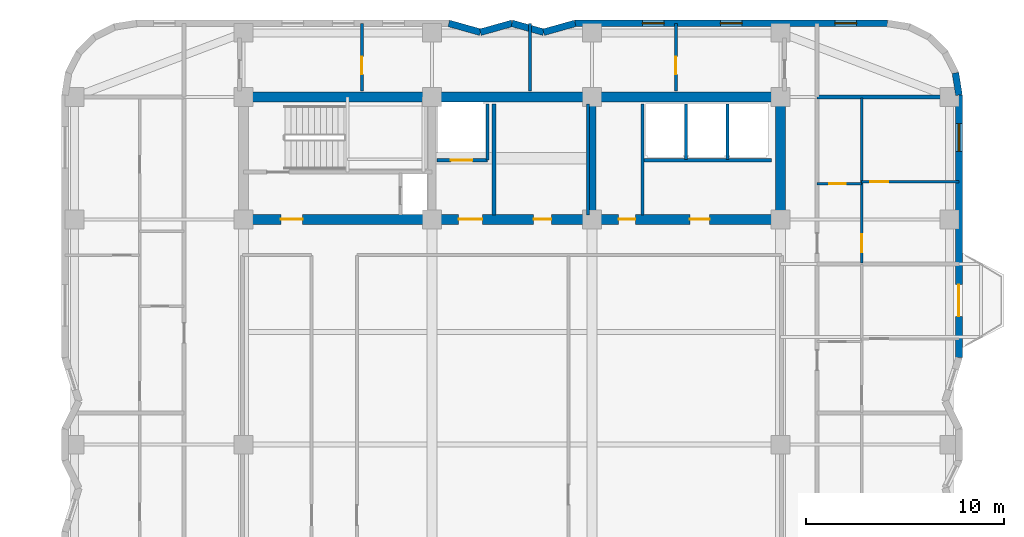
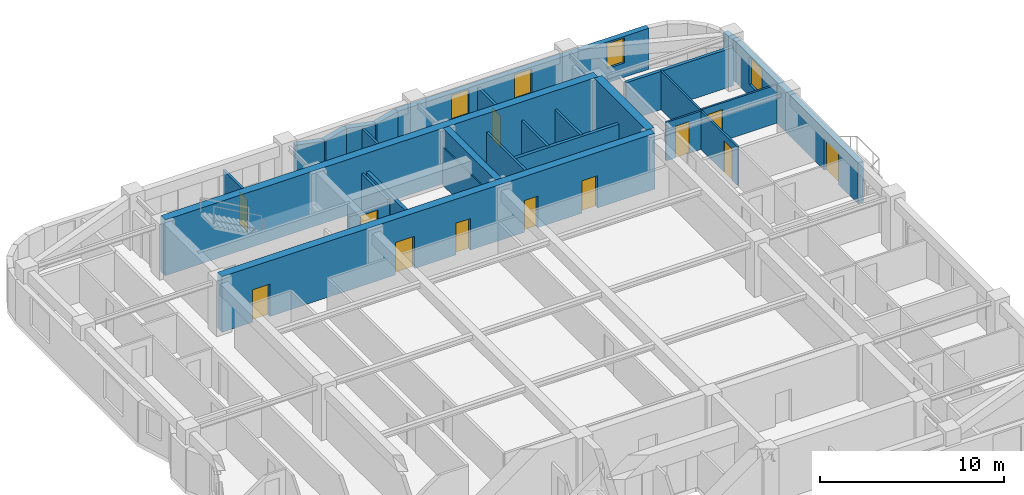
# One storey, part 6 of 9: 26 walls, 12 doors, 4 windows, 16 openings.
"""IFC4 building model written with IfcOpenShell, lengths in metres."""

from ifc_helpers import new_model, si_unit, direction, frame, frame_2d, origin, place, context, subcontext, project, spatial, rectangle, extrude, material, layer, layer_set, type_object, element, fill, save


model = new_model("IFC4")

# Units and contexts
model_context = context("Model", 3, precision=1e-05, world=origin(), true_north=direction((0.0, 1.0)))
body_context = subcontext(model_context, "Body", "Model", "MODEL_VIEW")
ifc_project = project(units=[si_unit("LENGTHUNIT", "METRE"), si_unit("AREAUNIT", "SQUARE_METRE"), si_unit("VOLUMEUNIT", "CUBIC_METRE"), si_unit("PLANEANGLEUNIT", "RADIAN"), si_unit("MASSUNIT", "GRAM", prefix="KILO")], contexts=[model_context])

# Site, building, storey
site_placement = place(None, origin())
site = spatial("IfcSite", under=ifc_project, at=site_placement, CompositionType="ELEMENT")
building_placement = place(site_placement, origin())
building = spatial("IfcBuilding", under=site, at=building_placement, Name="Svetorya Sky Lyceum", CompositionType="ELEMENT")
storey_placement = place(building_placement, frame((0.0, 0.0, 181.10009765625)))
storey = spatial("IfcBuildingStorey", under=building, at=storey_placement, Name="L45", CompositionType="ELEMENT", Elevation=181.10009765625)

# Walls
ifc_material_1 = material(Name="Concrete C40/50", Category="concrete")
ifc_layer_1 = layer(ifc_material_1, 0.39990234375)
ifc_layer_set_1 = layer_set([ifc_layer_1], Name="Concrete C40/50")
wall_type_1 = type_object("IfcWallType", Name="WL-CORE-400", PredefinedType="SHEAR", material=ifc_layer_set_1)
wall_1_placement = place(storey_placement, frame((43.25, 39.85009765625, 0.0), z_axis=(0.0, 0.0, 1.0), x_axis=(0.0, 1.0, 0.0)))
element("IfcWall", 1, at=wall_1_placement, inside=storey, type_object=wall_type_1, Name="L45 NC Internal Shear Web WEB2", PredefinedType="SHEAR", context=body_context, shape_type="SweptSolid", body=[
    extrude(rectangle(XDim=5.699951171875, YDim=0.39990234375, at=frame_2d((2.85009765625, 0.0))), origin(), (0.0, 0.0, 1.0), 3.699951171875),
])
ifc_material_2 = material(Name="Concrete C50/60", Category="concrete")
ifc_layer_2 = layer(ifc_material_2, 0.5)
ifc_layer_set_2 = layer_set([ifc_layer_2], Name="Concrete C50/60")
wall_type_2 = type_object("IfcWallType", Name="WL-CORE-500", PredefinedType="SHEAR", material=ifc_layer_set_2)
wall_2_placement = place(storey_placement, frame((25.60009765625, 45.800048828125, 0.0), z_axis=(0.0, 0.0, 1.0), x_axis=(1.0, 0.0, 0.0)))
element("IfcWall", 2, at=wall_2_placement, inside=storey, type_object=wall_type_2, Name="L45 NC Outer Core Shear Wall", PredefinedType="SHEAR", context=body_context, shape_type="SweptSolid", body=[
    extrude(rectangle(XDim=27.199951171875, YDim=0.5, at=frame_2d((13.60009765625, 0.0))), origin(), (0.0, 0.0, 1.0), 3.699951171875),
])
wall_3_placement = place(storey_placement, frame((52.800048828125, 39.85009765625, 0.0), z_axis=(0.0, 0.0, 1.0), x_axis=(0.0, 1.0, 0.0)))
element("IfcWall", 3, at=wall_3_placement, inside=storey, type_object=wall_type_2, Name="L45 NC East Core Shear Wall", PredefinedType="SHEAR", context=body_context, shape_type="SweptSolid", body=[
    extrude(rectangle(XDim=5.699951171875, YDim=0.5, at=frame_2d((2.85009765625, 0.0))), origin(), (0.0, 0.0, 1.0), 3.699951171875),
])

# Wall, openings, doors
wall_4_placement = place(storey_placement, frame((52.800048828125, 39.60009765625, 0.0), z_axis=(0.0, 0.0, 1.0), x_axis=(-1.0, 0.0, 0.0)))
wall_4 = element("IfcWall", 4, at=wall_4_placement, inside=storey, type_object=wall_type_2, Name="L45 NC Inner Core Shear Wall", PredefinedType="SHEAR", context=body_context, shape_type="SweptSolid", body=[
    extrude(rectangle(XDim=27.199951171875, YDim=0.5, at=frame_2d((13.60009765625, 0.0))), origin(), (0.0, 0.0, 1.0), 3.699951171875),
])
opening_1_placement = place(wall_4_placement, frame((24.199951171875, 0.0, 0.0)))
opening_1 = element("IfcOpeningElement", 5, at=opening_1_placement, cuts=wall_4, Name="Opening D-ST1", PredefinedType="OPENING", context=body_context, shape_type="SweptSolid", body=[
    extrude(rectangle(XDim=1.10009765625, YDim=2.14990234375, at=frame_2d((0.550048828125, 1.074951171875))), frame((0.0, 0.260009765625, 0.0), z_axis=(0.0, -1.0, 0.0), x_axis=(1.0, 0.0, 0.0)), (0.0, 0.0, 1.0), 0.52001953125),
])
opening_2_placement = place(wall_4_placement, frame((15.10009765625, 0.0, 0.0)))
opening_2 = element("IfcOpeningElement", 6, at=opening_2_placement, cuts=wall_4, Name="Opening D-FL1", PredefinedType="OPENING", context=body_context, shape_type="SweptSolid", body=[
    extrude(rectangle(XDim=1.199951171875, YDim=2.14990234375, at=frame_2d((0.60009765625, 1.074951171875))), frame((0.0, 0.260009765625, 0.0), z_axis=(0.0, -1.0, 0.0), x_axis=(1.0, 0.0, 0.0)), (0.0, 0.0, 1.0), 0.52001953125),
])
opening_3_placement = place(wall_4_placement, frame((11.60009765625, 0.0, 0.0)))
opening_3 = element("IfcOpeningElement", 7, at=opening_3_placement, cuts=wall_4, Name="Opening D-RM1", PredefinedType="OPENING", context=body_context, shape_type="SweptSolid", body=[
    extrude(rectangle(XDim=0.89990234375, YDim=2.10009765625, at=frame_2d((0.449951171875, 1.050048828125))), frame((0.0, 0.260009765625, 0.0), z_axis=(0.0, -1.0, 0.0), x_axis=(1.0, 0.0, 0.0)), (0.0, 0.0, 1.0), 0.52001953125),
])
opening_4_placement = place(wall_4_placement, frame((7.35009765625, 0.0, 0.0)))
opening_4 = element("IfcOpeningElement", 8, at=opening_4_placement, cuts=wall_4, Name="Opening D-CWC1", PredefinedType="OPENING", context=body_context, shape_type="SweptSolid", body=[
    extrude(rectangle(XDim=0.85009765625, YDim=2.10009765625, at=frame_2d((0.425048828125, 1.050048828125))), frame((0.0, 0.260009765625, 0.0), z_axis=(0.0, -1.0, 0.0), x_axis=(1.0, 0.0, 0.0)), (0.0, 0.0, 1.0), 0.52001953125),
])
opening_5_placement = place(wall_4_placement, frame((3.60009765625, 0.0, 0.0)))
opening_5 = element("IfcOpeningElement", 9, at=opening_5_placement, cuts=wall_4, Name="Opening D-RM2", PredefinedType="OPENING", context=body_context, shape_type="SweptSolid", body=[
    extrude(rectangle(XDim=1.0, YDim=2.14990234375, at=frame_2d((0.5, 1.074951171875))), frame((0.0, 0.260009765625, 0.0), z_axis=(0.0, -1.0, 0.0), x_axis=(1.0, 0.0, 0.0)), (0.0, 0.0, 1.0), 0.52001953125),
])
ifc_material_3 = material(Name="Fire-rated galvanized steel core service closet door", Category="steel")
door_type_1 = type_object("IfcDoorType", Name="DR-CWET-850", OperationType="SINGLE_SWING_LEFT", PredefinedType="DOOR", material=ifc_material_3)
door_1_placement = place(opening_4_placement, origin())
door_1 = element("IfcDoor", 10, at=door_1_placement, inside=storey, type_object=door_type_1, Name="L45 High-Zone Utility Room Door", OperationType="SINGLE_SWING_LEFT", OverallHeight=2.10009765625, OverallWidth=0.85009765625, PredefinedType="DOOR", context=body_context, shape_type="SweptSolid", body=[
    extrude(rectangle(XDim=0.85009765625, YDim=2.10009765625, at=frame_2d((0.425048828125, 1.050048828125))), frame((0.0, 0.02490234375, 0.0), z_axis=(0.0, -1.0, 0.0), x_axis=(1.0, 0.0, 0.0)), (0.0, 0.0, 1.0), 0.050048828125),
])
fill(opening_4, door_1)
ifc_material_4 = material(Name="Powder-coated insulated galvanized stair fire door")
door_type_2 = type_object("IfcDoorType", Name="DR-FIRE-1100", OperationType="SINGLE_SWING_LEFT", PredefinedType="DOOR", material=ifc_material_4)
door_2_placement = place(opening_1_placement, origin())
door_2 = element("IfcDoor", 11, at=door_2_placement, inside=storey, type_object=door_type_2, Name="L45 North Stair Airlock Door", OperationType="SINGLE_SWING_LEFT", OverallHeight=2.14990234375, OverallWidth=1.10009765625, PredefinedType="DOOR", context=body_context, shape_type="SweptSolid", body=[
    extrude(rectangle(XDim=1.10009765625, YDim=2.14990234375, at=frame_2d((0.550048828125, 1.074951171875))), frame((0.0, 0.02490234375, 0.0), z_axis=(0.0, -1.0, 0.0), x_axis=(1.0, 0.0, 0.0)), (0.0, 0.0, 1.0), 0.050048828125),
])
fill(opening_1, door_2)
ifc_material_5 = material(Name="Powder-coated insulated galvanized fire door")
door_type_3 = type_object("IfcDoorType", Name="DR-FIRE-1200", OperationType="SINGLE_SWING_LEFT", PredefinedType="DOOR", material=ifc_material_5)
door_3_placement = place(opening_2_placement, origin())
door_3 = element("IfcDoor", 12, at=door_3_placement, inside=storey, type_object=door_type_3, Name="L45 North Firefighting Lift Lobby Door", OperationType="SINGLE_SWING_RIGHT", OverallHeight=2.14990234375, OverallWidth=1.199951171875, PredefinedType="DOOR", context=body_context, shape_type="SweptSolid", body=[
    extrude(rectangle(XDim=1.199951171875, YDim=2.14990234375, at=frame_2d((0.60009765625, 1.074951171875))), frame((0.0, 0.02490234375, 0.0), z_axis=(0.0, -1.0, 0.0), x_axis=(1.0, 0.0, 0.0)), (0.0, 0.0, 1.0), 0.050048828125),
])
fill(opening_2, door_3)
ifc_material_6 = material(Name="Solid-core oak acoustic room door")
door_type_4 = type_object("IfcDoorType", Name="DR-INT-1000", OperationType="SINGLE_SWING_LEFT", PredefinedType="DOOR", material=ifc_material_6)
door_4_placement = place(opening_5_placement, origin())
door_4 = element("IfcDoor", 13, at=door_4_placement, inside=storey, type_object=door_type_4, Name="L45 North Trunk Store Door", OperationType="SINGLE_SWING_LEFT", OverallHeight=2.14990234375, OverallWidth=1.0, PredefinedType="DOOR", context=body_context, shape_type="SweptSolid", body=[
    extrude(rectangle(XDim=1.0, YDim=2.14990234375, at=frame_2d((0.5, 1.074951171875))), frame((0.0, 0.02490234375, 0.0), z_axis=(0.0, -1.0, 0.0), x_axis=(1.0, 0.0, 0.0)), (0.0, 0.0, 1.0), 0.050048828125),
])
fill(opening_5, door_4)
ifc_material_7 = material(Name="Lacquered birch veneer internal door")
door_type_5 = type_object("IfcDoorType", Name="DR-INT-900", OperationType="SINGLE_SWING_LEFT", PredefinedType="DOOR", material=ifc_material_7)
door_5_placement = place(opening_3_placement, origin())
door_5 = element("IfcDoor", 14, at=door_5_placement, inside=storey, type_object=door_type_5, Name="L45 Upper Archive Door", OperationType="SINGLE_SWING_LEFT", OverallHeight=2.10009765625, OverallWidth=0.89990234375, PredefinedType="DOOR", context=body_context, shape_type="SweptSolid", body=[
    extrude(rectangle(XDim=0.89990234375, YDim=2.10009765625, at=frame_2d((0.449951171875, 1.050048828125))), frame((0.0, 0.02490234375, 0.0), z_axis=(0.0, -1.0, 0.0), x_axis=(1.0, 0.0, 0.0)), (0.0, 0.0, 1.0), 0.050048828125),
])
fill(opening_3, door_5)

# Wall, openings, door, window
ifc_material_8 = material(Name="Putilovo limestone rainscreen on autoclaved cellular masonry", Category="masonry")
ifc_layer_3 = layer(ifc_material_8, 0.340087890625)
ifc_layer_set_3 = layer_set([ifc_layer_3], Name="Putilovo limestone rainscreen on autoclaved cellular masonry")
wall_type_3 = type_object("IfcWallType", Name="WL-EXT-340", PredefinedType="SOLIDWALL", material=ifc_layer_set_3)
wall_5_placement = place(storey_placement, frame((61.830078125, 32.60009765625, 0.0), z_axis=(0.0, 0.0, 1.0), x_axis=(0.0, 1.0, 0.0)))
wall_5 = element("IfcWall", 15, at=wall_5_placement, inside=storey, type_object=wall_type_3, Name="L45 Limestone Exterior Wall 23M", PredefinedType="SOLIDWALL", context=body_context, shape_type="SweptSolid", body=[
    extrude(rectangle(XDim=13.2998046875, YDim=0.340087890625, at=frame_2d((6.64990234375, 0.0))), origin(), (0.0, 0.0, 1.0), 2.719970703125),
])
opening_6_placement = place(wall_5_placement, frame((2.10009765625, 0.0, 0.0)))
opening_6 = element("IfcOpeningElement", 16, at=opening_6_placement, cuts=wall_5, Name="Opening D-BL1", PredefinedType="OPENING", context=body_context, shape_type="SweptSolid", body=[
    extrude(rectangle(XDim=1.60009765625, YDim=2.10009765625, at=frame_2d((0.800048828125, 1.050048828125))), frame((0.0, 0.179931640625, 0.0), z_axis=(0.0, -1.0, 0.0), x_axis=(1.0, 0.0, 0.0)), (0.0, 0.0, 1.0), 0.360107421875),
])
opening_7_placement = place(wall_5_placement, frame((10.449951171875, 0.0, 0.75)))
opening_7 = element("IfcOpeningElement", 17, at=opening_7_placement, cuts=wall_5, Name="Opening W-R2", PredefinedType="OPENING", context=body_context, shape_type="SweptSolid", body=[
    extrude(rectangle(XDim=1.39990234375, YDim=1.85009765625, at=frame_2d((0.699951171875, 0.925048828125))), frame((0.0, 0.179931640625, 0.0), z_axis=(0.0, -1.0, 0.0), x_axis=(1.0, 0.0, 0.0)), (0.0, 0.0, 1.0), 0.360107421875),
])
ifc_material_9 = material(Name="Insulated glazed aluminium balcony door", Category="aluminium")
door_type_6 = type_object("IfcDoorType", Name="DR-BAL-1600", OperationType="DOUBLE_DOOR_SINGLE_SWING", PredefinedType="DOOR", material=ifc_material_9)
door_6_placement = place(opening_6_placement, origin())
door_6 = element("IfcDoor", 18, at=door_6_placement, inside=storey, type_object=door_type_6, Name="L45 Balcony BAL-E1 Door", OperationType="DOUBLE_DOOR_SINGLE_SWING", OverallHeight=2.10009765625, OverallWidth=1.60009765625, PredefinedType="DOOR", context=body_context, shape_type="SweptSolid", body=[
    extrude(rectangle(XDim=1.60009765625, YDim=2.10009765625, at=frame_2d((0.800048828125, 1.050048828125))), frame((0.0, 0.02490234375, 0.0), z_axis=(0.0, -1.0, 0.0), x_axis=(1.0, 0.0, 0.0)), (0.0, 0.0, 1.0), 0.050048828125),
])
fill(opening_6, door_6)
ifc_material_10 = material(Name="Thermally broken aluminium frame with triple low-E glazing", Category="aluminium")
window_type_1 = type_object("IfcWindowType", Name="WN-RES-140", PartitioningType="SINGLE_PANEL", PredefinedType="WINDOW", material=ifc_material_10)
window_1_placement = place(opening_7_placement, origin())
window_1 = element("IfcWindow", 19, at=window_1_placement, inside=storey, type_object=window_type_1, Name="L45 Facade Window W-R2.23M.1", OverallHeight=1.85009765625, OverallWidth=1.39990234375, PartitioningType="SINGLE_PANEL", PredefinedType="WINDOW", context=body_context, shape_type="SweptSolid", body=[
    extrude(rectangle(XDim=1.39990234375, YDim=1.85009765625, at=frame_2d((0.699951171875, 0.925048828125))), frame((0.0, 0.030029296875, 0.0), z_axis=(0.0, -1.0, 0.0), x_axis=(1.0, 0.0, 0.0)), (0.0, 0.0, 1.0), 0.06005859375),
])
fill(opening_7, window_1)

# Wall
wall_6_placement = place(storey_placement, frame((61.830078125, 45.89990234375, 0.0), z_axis=(0.0, 0.0, 1.0), x_axis=(-0.156481329164, 0.987680916907, 0.0)))
element("IfcWall", 20, at=wall_6_placement, inside=storey, type_object=wall_type_3, Name="L45 Limestone Exterior Wall 24M", PredefinedType="SOLIDWALL", context=body_context, shape_type="SweptSolid", body=[
    extrude(rectangle(XDim=1.1357421875, YDim=0.340087890625, at=frame_2d((0.56787109375, 0.0))), origin(), (0.0, 0.0, 1.0), 2.719970703125),
])

# Wall, openings, windows
wall_7_placement = place(storey_placement, frame((58.199951171875, 49.530029296875, 0.0), z_axis=(0.0, 0.0, 1.0), x_axis=(-1.0, 0.0, 0.0)))
wall_7 = element("IfcWall", 21, at=wall_7_placement, inside=storey, type_object=wall_type_3, Name="L45 Limestone Exterior Wall 29M", PredefinedType="SOLIDWALL", context=body_context, shape_type="SweptSolid", body=[
    extrude(rectangle(XDim=15.800048828125, YDim=0.340087890625, at=frame_2d((7.89990234375, 0.0))), origin(), (0.0, 0.0, 1.0), 2.719970703125),
])
opening_8_placement = place(wall_7_placement, frame((1.550048828125, 0.0, 0.949951171875)))
opening_8 = element("IfcOpeningElement", 22, at=opening_8_placement, cuts=wall_7, Name="Opening W-R3", PredefinedType="OPENING", context=body_context, shape_type="SweptSolid", body=[
    extrude(rectangle(XDim=1.10009765625, YDim=1.64990234375, at=frame_2d((0.550048828125, 0.824951171875))), frame((0.0, 0.179931640625, 0.0), z_axis=(0.0, -1.0, 0.0), x_axis=(1.0, 0.0, 0.0)), (0.0, 0.0, 1.0), 0.360107421875),
])
opening_9_placement = place(wall_7_placement, frame((7.35009765625, 0.0, 0.949951171875)))
opening_9 = element("IfcOpeningElement", 23, at=opening_9_placement, cuts=wall_7, Name="Opening W-R3", PredefinedType="OPENING", context=body_context, shape_type="SweptSolid", body=[
    extrude(rectangle(XDim=1.10009765625, YDim=1.64990234375, at=frame_2d((0.550048828125, 0.824951171875))), frame((0.0, 0.179931640625, 0.0), z_axis=(0.0, -1.0, 0.0), x_axis=(1.0, 0.0, 0.0)), (0.0, 0.0, 1.0), 0.360107421875),
])
opening_10_placement = place(wall_7_placement, frame((11.300048828125, 0.0, 0.949951171875)))
opening_10 = element("IfcOpeningElement", 24, at=opening_10_placement, cuts=wall_7, Name="Opening W-R3", PredefinedType="OPENING", context=body_context, shape_type="SweptSolid", body=[
    extrude(rectangle(XDim=1.10009765625, YDim=1.64990234375, at=frame_2d((0.550048828125, 0.824951171875))), frame((0.0, 0.179931640625, 0.0), z_axis=(0.0, -1.0, 0.0), x_axis=(1.0, 0.0, 0.0)), (0.0, 0.0, 1.0), 0.360107421875),
])
window_type_2 = type_object("IfcWindowType", Name="WN-RES-110", PartitioningType="SINGLE_PANEL", PredefinedType="WINDOW", material=ifc_material_10)
window_2_placement = place(opening_8_placement, origin())
window_2 = element("IfcWindow", 25, at=window_2_placement, inside=storey, type_object=window_type_2, Name="L45 Facade Window W-R3.29M.1", OverallHeight=1.64990234375, OverallWidth=1.10009765625, PartitioningType="SINGLE_PANEL", PredefinedType="WINDOW", context=body_context, shape_type="SweptSolid", body=[
    extrude(rectangle(XDim=1.10009765625, YDim=1.64990234375, at=frame_2d((0.550048828125, 0.824951171875))), frame((0.0, 0.030029296875, 0.0), z_axis=(0.0, -1.0, 0.0), x_axis=(1.0, 0.0, 0.0)), (0.0, 0.0, 1.0), 0.06005859375),
])
fill(opening_8, window_2)
window_3_placement = place(opening_9_placement, origin())
window_3 = element("IfcWindow", 26, at=window_3_placement, inside=storey, type_object=window_type_2, Name="L45 Facade Window W-R3.29M.2", OverallHeight=1.64990234375, OverallWidth=1.10009765625, PartitioningType="SINGLE_PANEL", PredefinedType="WINDOW", context=body_context, shape_type="SweptSolid", body=[
    extrude(rectangle(XDim=1.10009765625, YDim=1.64990234375, at=frame_2d((0.550048828125, 0.824951171875))), frame((0.0, 0.030029296875, 0.0), z_axis=(0.0, -1.0, 0.0), x_axis=(1.0, 0.0, 0.0)), (0.0, 0.0, 1.0), 0.06005859375),
])
fill(opening_9, window_3)
window_4_placement = place(opening_10_placement, origin())
window_4 = element("IfcWindow", 27, at=window_4_placement, inside=storey, type_object=window_type_2, Name="L45 Facade Window W-R3.29M.3", OverallHeight=1.64990234375, OverallWidth=1.10009765625, PartitioningType="SINGLE_PANEL", PredefinedType="WINDOW", context=body_context, shape_type="SweptSolid", body=[
    extrude(rectangle(XDim=1.10009765625, YDim=1.64990234375, at=frame_2d((0.550048828125, 0.824951171875))), frame((0.0, 0.030029296875, 0.0), z_axis=(0.0, -1.0, 0.0), x_axis=(1.0, 0.0, 0.0)), (0.0, 0.0, 1.0), 0.06005859375),
])
fill(opening_10, window_4)

# Walls
wall_8_placement = place(storey_placement, frame((42.39990234375, 49.530029296875, 0.0), z_axis=(0.0, 0.0, 1.0), x_axis=(-0.962652136636, -0.270741322725, 0.0)))
element("IfcWall", 28, at=wall_8_placement, inside=storey, type_object=wall_type_3, Name="L45 Limestone Exterior Wall 30M", PredefinedType="SOLIDWALL", context=body_context, shape_type="SweptSolid", body=[
    extrude(rectangle(XDim=1.661865234375, YDim=0.340087890625, at=frame_2d((0.8310546875, 0.0))), origin(), (0.0, 0.0, 1.0), 2.719970703125),
])
wall_9_placement = place(storey_placement, frame((40.800048828125, 49.080078125, 0.0), z_axis=(0.0, 0.0, 1.0), x_axis=(-0.962662902433, 0.270703040766, 0.0)))
element("IfcWall", 29, at=wall_9_placement, inside=storey, type_object=wall_type_3, Name="L45 Limestone Exterior Wall 31M", PredefinedType="SOLIDWALL", context=body_context, shape_type="SweptSolid", body=[
    extrude(rectangle(XDim=1.662109375, YDim=0.340087890625, at=frame_2d((0.8310546875, 0.0))), origin(), (0.0, 0.0, 1.0), 2.719970703125),
])
wall_10_placement = place(storey_placement, frame((39.199951171875, 49.530029296875, 0.0), z_axis=(0.0, 0.0, 1.0), x_axis=(-0.962652136636, -0.270741322725, 0.0)))
element("IfcWall", 30, at=wall_10_placement, inside=storey, type_object=wall_type_3, Name="L45 Limestone Exterior Wall 32M", PredefinedType="SOLIDWALL", context=body_context, shape_type="SweptSolid", body=[
    extrude(rectangle(XDim=1.661865234375, YDim=0.340087890625, at=frame_2d((0.8310546875, 0.0))), origin(), (0.0, 0.0, 1.0), 2.719970703125),
])
wall_11_placement = place(storey_placement, frame((37.60009765625, 49.080078125, 0.0), z_axis=(0.0, 0.0, 1.0), x_axis=(-0.962662902433, 0.270703040766, 0.0)))
element("IfcWall", 31, at=wall_11_placement, inside=storey, type_object=wall_type_3, Name="L45 Limestone Exterior Wall 33M", PredefinedType="SOLIDWALL", context=body_context, shape_type="SweptSolid", body=[
    extrude(rectangle(XDim=1.662109375, YDim=0.340087890625, at=frame_2d((0.8310546875, 0.0))), origin(), (0.0, 0.0, 1.0), 2.719970703125),
])

# Wall, opening, door
ifc_material_11 = material(Name="Twin-stud galvanized framing with double fireboard", Category="gypsum")
ifc_layer_4 = layer(ifc_material_11, 0.1201171875)
ifc_layer_set_4 = layer_set([ifc_layer_4], Name="Twin-stud galvanized framing with double fireboard")
wall_type_4 = type_object("IfcWallType", Name="WL-PART-120", PredefinedType="PARTITIONING", material=ifc_layer_set_4)
wall_12_placement = place(storey_placement, frame((54.64990234375, 41.412109375, 0.0), z_axis=(0.0, 0.0, 1.0), x_axis=(1.0, 0.0, 0.0)))
wall_12 = element("IfcWall", 32, at=wall_12_placement, inside=storey, type_object=wall_type_4, Name="L45 Interior Partition E4-WH1", PredefinedType="PARTITIONING", context=body_context, shape_type="SweptSolid", body=[
    extrude(rectangle(XDim=2.25, YDim=0.1201171875, at=frame_2d((1.125, 0.0))), origin(), (0.0, 0.0, 1.0), 2.5498046875),
])
opening_11_placement = place(wall_12_placement, frame((0.60009765625, 0.0, 0.0)))
opening_11 = element("IfcOpeningElement", 33, at=opening_11_placement, cuts=wall_12, Name="Opening D-BT1", PredefinedType="OPENING", context=body_context, shape_type="SweptSolid", body=[
    extrude(rectangle(XDim=0.85009765625, YDim=2.10009765625, at=frame_2d((0.425048828125, 1.050048828125))), frame((0.0, 0.070068359375, 0.0), z_axis=(0.0, -1.0, 0.0), x_axis=(1.0, 0.0, 0.0)), (0.0, 0.0, 1.0), 0.14013671875),
])
ifc_material_12 = material(Name="Moisture-resistant laminate bathroom door")
door_type_7 = type_object("IfcDoorType", Name="DR-WET-850", OperationType="SINGLE_SWING_LEFT", PredefinedType="DOOR", material=ifc_material_12)
door_7_placement = place(opening_11_placement, origin())
door_7 = element("IfcDoor", 34, at=door_7_placement, inside=storey, type_object=door_type_7, Name="Apartment E4 Bathroom Door", OperationType="SINGLE_SWING_LEFT", OverallHeight=2.10009765625, OverallWidth=0.85009765625, PredefinedType="DOOR", context=body_context, shape_type="SweptSolid", body=[
    extrude(rectangle(XDim=0.85009765625, YDim=2.10009765625, at=frame_2d((0.425048828125, 1.050048828125))), frame((0.0, 0.02490234375, 0.0), z_axis=(0.0, -1.0, 0.0), x_axis=(1.0, 0.0, 0.0)), (0.0, 0.0, 1.0), 0.050048828125),
])
fill(opening_11, door_7)

wall_13_placement = place(storey_placement, frame((56.89990234375, 41.501953125, 0.0), z_axis=(0.0, 0.0, 1.0), x_axis=(1.0, 0.0, 0.0)))
wall_13 = element("IfcWall", 35, at=wall_13_placement, inside=storey, type_object=wall_type_4, Name="L45 Interior Partition E4-WL1", PredefinedType="PARTITIONING", context=body_context, shape_type="SweptSolid", body=[
    extrude(rectangle(XDim=4.93017578125, YDim=0.1201171875, at=frame_2d((2.465087890625, 0.0))), origin(), (0.0, 0.0, 1.0), 2.5498046875),
])
opening_12_placement = place(wall_13_placement, frame((0.449951171875, 0.0, 0.0)))
opening_12 = element("IfcOpeningElement", 36, at=opening_12_placement, cuts=wall_13, Name="Opening D-RM1", PredefinedType="OPENING", context=body_context, shape_type="SweptSolid", body=[
    extrude(rectangle(XDim=0.89990234375, YDim=2.10009765625, at=frame_2d((0.449951171875, 1.050048828125))), frame((0.0, 0.070068359375, 0.0), z_axis=(0.0, -1.0, 0.0), x_axis=(1.0, 0.0, 0.0)), (0.0, 0.0, 1.0), 0.14013671875),
])
door_8_placement = place(opening_12_placement, origin())
door_8 = element("IfcDoor", 37, at=door_8_placement, inside=storey, type_object=door_type_5, Name="Apartment E4 Bedroom 1 Door", OperationType="SINGLE_SWING_LEFT", OverallHeight=2.10009765625, OverallWidth=0.89990234375, PredefinedType="DOOR", context=body_context, shape_type="SweptSolid", body=[
    extrude(rectangle(XDim=0.89990234375, YDim=2.10009765625, at=frame_2d((0.449951171875, 1.050048828125))), frame((0.0, 0.02490234375, 0.0), z_axis=(0.0, -1.0, 0.0), x_axis=(1.0, 0.0, 0.0)), (0.0, 0.0, 1.0), 0.050048828125),
])
fill(opening_12, door_8)

wall_14_placement = place(storey_placement, frame((56.89990234375, 37.39208984375, 0.0), z_axis=(0.0, 0.0, 1.0), x_axis=(0.0, 1.0, 0.0)))
wall_14 = element("IfcWall", 38, at=wall_14_placement, inside=storey, type_object=wall_type_4, Name="L45 Interior Partition E4-WV", PredefinedType="PARTITIONING", context=body_context, shape_type="SweptSolid", body=[
    extrude(rectangle(XDim=8.367919921875, YDim=0.1201171875, at=frame_2d((4.18408203125, 0.0))), origin(), (0.0, 0.0, 1.0), 2.5498046875),
])
opening_13_placement = place(wall_14_placement, frame((0.56005859375, 0.0, 0.0)))
opening_13 = element("IfcOpeningElement", 39, at=opening_13_placement, cuts=wall_14, Name="Opening D-RM1", PredefinedType="OPENING", context=body_context, shape_type="SweptSolid", body=[
    extrude(rectangle(XDim=0.89990234375, YDim=2.10009765625, at=frame_2d((0.449951171875, 1.050048828125))), frame((0.0, 0.070068359375, 0.0), z_axis=(0.0, -1.0, 0.0), x_axis=(1.0, 0.0, 0.0)), (0.0, 0.0, 1.0), 0.14013671875),
])
door_9_placement = place(opening_13_placement, origin())
door_9 = element("IfcDoor", 40, at=door_9_placement, inside=storey, type_object=door_type_5, Name="Apartment E4 Living Door", OperationType="SINGLE_SWING_RIGHT", OverallHeight=2.10009765625, OverallWidth=0.89990234375, PredefinedType="DOOR", context=body_context, shape_type="SweptSolid", body=[
    extrude(rectangle(XDim=0.89990234375, YDim=2.10009765625, at=frame_2d((0.449951171875, 1.050048828125))), frame((0.0, 0.02490234375, 0.0), z_axis=(0.0, -1.0, 0.0), x_axis=(1.0, 0.0, 0.0)), (0.0, 0.0, 1.0), 0.050048828125),
])
fill(opening_13, door_9)

# Walls
ifc_material_13 = material(Name="Autoclaved cellular masonry blockwork with acoustic render", Category="masonry")
ifc_layer_5 = layer(ifc_material_13, 0.14990234375)
ifc_layer_set_5 = layer_set([ifc_layer_5], Name="Autoclaved cellular masonry blockwork with acoustic render")
wall_type_5 = type_object("IfcWallType", Name="WL-PART-150", PredefinedType="PARTITIONING", material=ifc_layer_set_5)
wall_15_placement = place(storey_placement, frame((37.949951171875, 42.60009765625, 0.0), z_axis=(0.0, 0.0, 1.0), x_axis=(0.0, 1.0, 0.0)))
element("IfcWall", 41, at=wall_15_placement, inside=storey, type_object=wall_type_5, Name="L45 Interior Partition NC-FL1SIDE", PredefinedType="PARTITIONING", context=body_context, shape_type="SweptSolid", body=[
    extrude(rectangle(XDim=2.849853515625, YDim=0.14990234375, at=frame_2d((1.4248046875, 0.0))), origin(), (0.0, 0.0, 1.0), 2.5498046875),
])
for number, where, z_axis, x_axis, name in (
    (42, (43.050048828125, 39.820068359375, 0.0), (0.0, 0.0, 1.0), (0.0, 1.0, 0.0), "L45 Interior Partition NC-FPM-END"),
    (43, (45.800048828125, 39.820068359375, 0.0), (0.0, 0.0, 1.0), (0.0, 1.0, 0.0), "L45 Interior Partition NC-PM3-FULL"),
):
    element("IfcWall", number, at=place(storey_placement, frame(where, z_axis=z_axis, x_axis=x_axis)), inside=storey, type_object=wall_type_5, Name=name, PredefinedType="PARTITIONING", context=body_context, shape_type="SweptSolid", body=[
        extrude(rectangle(XDim=5.6298828125, YDim=0.14990234375, at=frame_2d((2.81494140625, 0.0))), origin(), (0.0, 0.0, 1.0), 2.5498046875),
    ])
for number, where, z_axis, x_axis, name in (
    (44, (48.0, 42.64990234375, 0.0), (0.0, 0.0, 1.0), (0.0, 1.0, 0.0), "L45 Interior Partition NC-PH-D1"),
    (45, (50.10009765625, 42.64990234375, 0.0), (0.0, 0.0, 1.0), (0.0, 1.0, 0.0), "L45 Interior Partition NC-PH-D2"),
):
    element("IfcWall", number, at=place(storey_placement, frame(where, z_axis=z_axis, x_axis=x_axis)), inside=storey, type_object=wall_type_5, Name=name, PredefinedType="PARTITIONING", context=body_context, shape_type="SweptSolid", body=[
        extrude(rectangle(XDim=2.800048828125, YDim=0.14990234375, at=frame_2d((1.39990234375, 0.0))), origin(), (0.0, 0.0, 1.0), 2.5498046875),
    ])

# Wall, opening, door
wall_16_placement = place(storey_placement, frame((31.60009765625, 46.10009765625, 0.0), z_axis=(0.0, 0.0, 1.0), x_axis=(0.0, 1.0, 0.0)))
wall_16 = element("IfcWall", 46, at=wall_16_placement, inside=storey, type_object=wall_type_5, Name="L45 Interior Partition N4-D1", PredefinedType="PARTITIONING", context=body_context, shape_type="SweptSolid", body=[
    extrude(rectangle(XDim=3.429931640625, YDim=0.14990234375, at=frame_2d((1.71484375, 0.0))), origin(), (0.0, 0.0, 1.0), 2.5498046875),
])
opening_14_placement = place(wall_16_placement, frame((0.85009765625, 0.0, 0.0)))
opening_14 = element("IfcOpeningElement", 47, at=opening_14_placement, cuts=wall_16, Name="Opening D-RM1", PredefinedType="OPENING", context=body_context, shape_type="SweptSolid", body=[
    extrude(rectangle(XDim=0.89990234375, YDim=2.10009765625, at=frame_2d((0.449951171875, 1.050048828125))), frame((0.0, 0.0849609375, 0.0), z_axis=(0.0, -1.0, 0.0), x_axis=(1.0, 0.0, 0.0)), (0.0, 0.0, 1.0), 0.169921875),
])
door_10_placement = place(opening_14_placement, origin())
door_10 = element("IfcDoor", 48, at=door_10_placement, inside=storey, type_object=door_type_5, Name="L45 North Suite Door 1", OperationType="SINGLE_SWING_RIGHT", OverallHeight=2.10009765625, OverallWidth=0.89990234375, PredefinedType="DOOR", context=body_context, shape_type="SweptSolid", body=[
    extrude(rectangle(XDim=0.89990234375, YDim=2.10009765625, at=frame_2d((0.449951171875, 1.050048828125))), frame((0.0, 0.02490234375, 0.0), z_axis=(0.0, -1.0, 0.0), x_axis=(1.0, 0.0, 0.0)), (0.0, 0.0, 1.0), 0.050048828125),
])
fill(opening_14, door_10)

# Wall
wall_17_placement = place(storey_placement, frame((40.10009765625, 46.10009765625, 0.0), z_axis=(0.0, 0.0, 1.0), x_axis=(0.0, 1.0, 0.0)))
element("IfcWall", 49, at=wall_17_placement, inside=storey, type_object=wall_type_5, Name="L45 Interior Partition N4-D2", PredefinedType="PARTITIONING", context=body_context, shape_type="SweptSolid", body=[
    extrude(rectangle(XDim=3.429931640625, YDim=0.14990234375, at=frame_2d((1.71484375, 0.0))), origin(), (0.0, 0.0, 1.0), 2.5498046875),
])

# Wall, opening, door
wall_18_placement = place(storey_placement, frame((47.5, 46.10009765625, 0.0), z_axis=(0.0, 0.0, 1.0), x_axis=(0.0, 1.0, 0.0)))
wall_18 = element("IfcWall", 50, at=wall_18_placement, inside=storey, type_object=wall_type_5, Name="L45 Interior Partition N4-D3", PredefinedType="PARTITIONING", context=body_context, shape_type="SweptSolid", body=[
    extrude(rectangle(XDim=3.429931640625, YDim=0.14990234375, at=frame_2d((1.71484375, 0.0))), origin(), (0.0, 0.0, 1.0), 2.5498046875),
])
opening_15_placement = place(wall_18_placement, frame((0.85009765625, 0.0, 0.0)))
opening_15 = element("IfcOpeningElement", 51, at=opening_15_placement, cuts=wall_18, Name="Opening D-RM1", PredefinedType="OPENING", context=body_context, shape_type="SweptSolid", body=[
    extrude(rectangle(XDim=0.89990234375, YDim=2.10009765625, at=frame_2d((0.449951171875, 1.050048828125))), frame((0.0, 0.0849609375, 0.0), z_axis=(0.0, -1.0, 0.0), x_axis=(1.0, 0.0, 0.0)), (0.0, 0.0, 1.0), 0.169921875),
])
door_11_placement = place(opening_15_placement, origin())
door_11 = element("IfcDoor", 52, at=door_11_placement, inside=storey, type_object=door_type_5, Name="L45 North Suite Door 3", OperationType="SINGLE_SWING_RIGHT", OverallHeight=2.10009765625, OverallWidth=0.89990234375, PredefinedType="DOOR", context=body_context, shape_type="SweptSolid", body=[
    extrude(rectangle(XDim=0.89990234375, YDim=2.10009765625, at=frame_2d((0.449951171875, 1.050048828125))), frame((0.0, 0.02490234375, 0.0), z_axis=(0.0, -1.0, 0.0), x_axis=(1.0, 0.0, 0.0)), (0.0, 0.0, 1.0), 0.050048828125),
])
fill(opening_15, door_11)

ifc_material_14 = material(Name="Autoclaved cellular masonry blockwork with gypsum plaster", Category="masonry")
ifc_layer_6 = layer(ifc_material_14, 0.199951171875)
ifc_layer_set_6 = layer_set([ifc_layer_6], Name="Autoclaved cellular masonry blockwork with gypsum plaster")
wall_type_6 = type_object("IfcWallType", Name="WL-PART-200", PredefinedType="PARTITIONING", material=ifc_layer_set_6)
wall_19_placement = place(storey_placement, frame((37.949951171875, 42.60009765625, 0.0), z_axis=(0.0, 0.0, 1.0), x_axis=(-1.0, 0.0, 0.0)))
wall_19 = element("IfcWall", 53, at=wall_19_placement, inside=storey, type_object=wall_type_6, Name="L45 Interior Partition NC-FL1W", PredefinedType="PARTITIONING", context=body_context, shape_type="SweptSolid", body=[
    extrude(rectangle(XDim=2.550048828125, YDim=0.199951171875, at=frame_2d((1.27490234375, 0.0))), origin(), (0.0, 0.0, 1.0), 2.31982421875),
])
opening_16_placement = place(wall_19_placement, frame((0.75, 0.0, 0.0)))
opening_16 = element("IfcOpeningElement", 54, at=opening_16_placement, cuts=wall_19, Name="Opening LD-FL", PredefinedType="OPENING", context=body_context, shape_type="SweptSolid", body=[
    extrude(rectangle(XDim=1.10009765625, YDim=2.14990234375, at=frame_2d((0.550048828125, 1.074951171875))), frame((0.0, 0.10986328125, 0.0), z_axis=(0.0, -1.0, 0.0), x_axis=(1.0, 0.0, 0.0)), (0.0, 0.0, 1.0), 0.219970703125),
])
ifc_material_15 = material(Name="Fire-rated stainless AISI 304 firefighting lift landing door")
door_type_8 = type_object("IfcDoorType", Name="DR-LIFT-1100", OperationType="SLIDING_TO_LEFT", PredefinedType="DOOR", material=ifc_material_15)
door_12_placement = place(opening_16_placement, origin())
door_12 = element("IfcDoor", 55, at=door_12_placement, inside=storey, type_object=door_type_8, Name="L45 Firefighting Lift FL1 Landing Door", OperationType="SLIDING_TO_LEFT", OverallHeight=2.14990234375, OverallWidth=1.10009765625, PredefinedType="DOOR", context=body_context, shape_type="SweptSolid", body=[
    extrude(rectangle(XDim=1.10009765625, YDim=2.14990234375, at=frame_2d((0.550048828125, 1.074951171875))), frame((0.0, 0.02490234375, 0.0), z_axis=(0.0, -1.0, 0.0), x_axis=(1.0, 0.0, 0.0)), (0.0, 0.0, 1.0), 0.050048828125),
])
fill(opening_16, door_12)

# Walls
wall_20_placement = place(storey_placement, frame((38.280029296875, 39.820068359375, 0.0), z_axis=(0.0, 0.0, 1.0), x_axis=(0.0, 1.0, 0.0)))
element("IfcWall", 56, at=wall_20_placement, inside=storey, type_object=wall_type_6, Name="L45 Interior Partition NC-FFLDIV", PredefinedType="PARTITIONING", context=body_context, shape_type="SweptSolid", body=[
    extrude(rectangle(XDim=5.6298828125, YDim=0.199951171875, at=frame_2d((2.81494140625, 0.0))), origin(), (0.0, 0.0, 1.0), 2.5498046875),
])
wall_21_placement = place(storey_placement, frame((52.35009765625, 42.60009765625, 0.0), z_axis=(0.0, 0.0, 1.0), x_axis=(-1.0, 0.0, 0.0)))
element("IfcWall", 57, at=wall_21_placement, inside=storey, type_object=wall_type_6, Name="L45 Interior Partition NC-PHEW", PredefinedType="PARTITIONING", context=body_context, shape_type="SweptSolid", body=[
    extrude(rectangle(XDim=6.5, YDim=0.199951171875, at=frame_2d((3.25, 0.0))), origin(), (0.0, 0.0, 1.0), 2.5498046875),
])
wall_22_placement = place(storey_placement, frame((54.64990234375, 45.800048828125, 0.0), z_axis=(0.0, 0.0, 1.0), x_axis=(1.0, 0.0, 0.0)))
element("IfcWall", 58, at=wall_22_placement, inside=storey, type_object=wall_type_6, Name="L45 Interior Partition E-CAP-N", PredefinedType="PARTITIONING", context=body_context, shape_type="SweptSolid", body=[
    extrude(rectangle(XDim=6.760009765625, YDim=0.199951171875, at=frame_2d((3.3798828125, 0.0))), origin(), (0.0, 0.0, 1.0), 2.5498046875),
])

save(model, "model.ifc")
